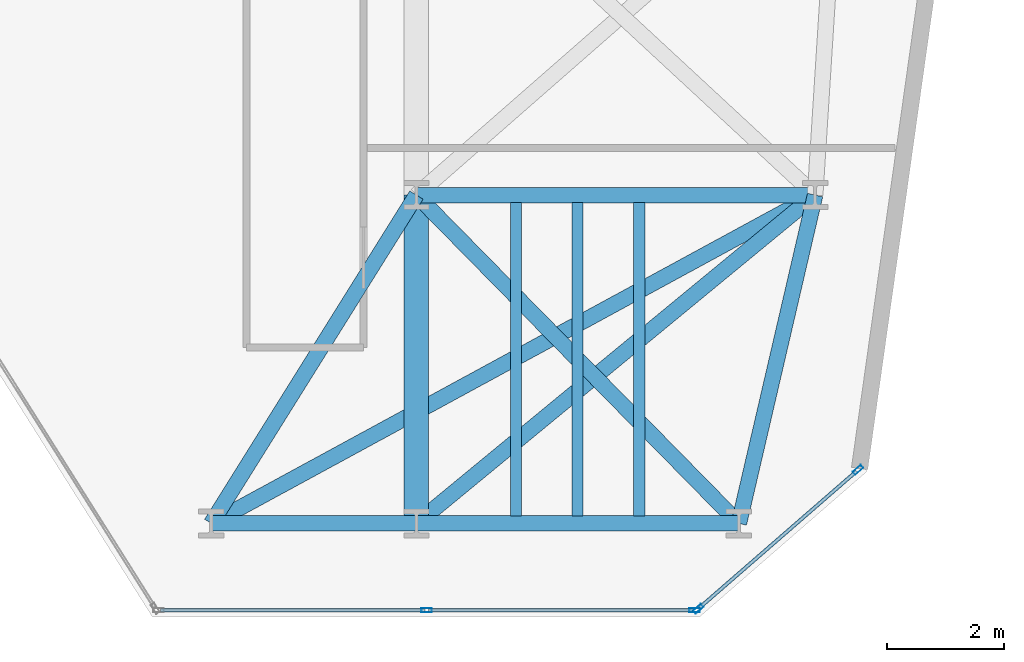
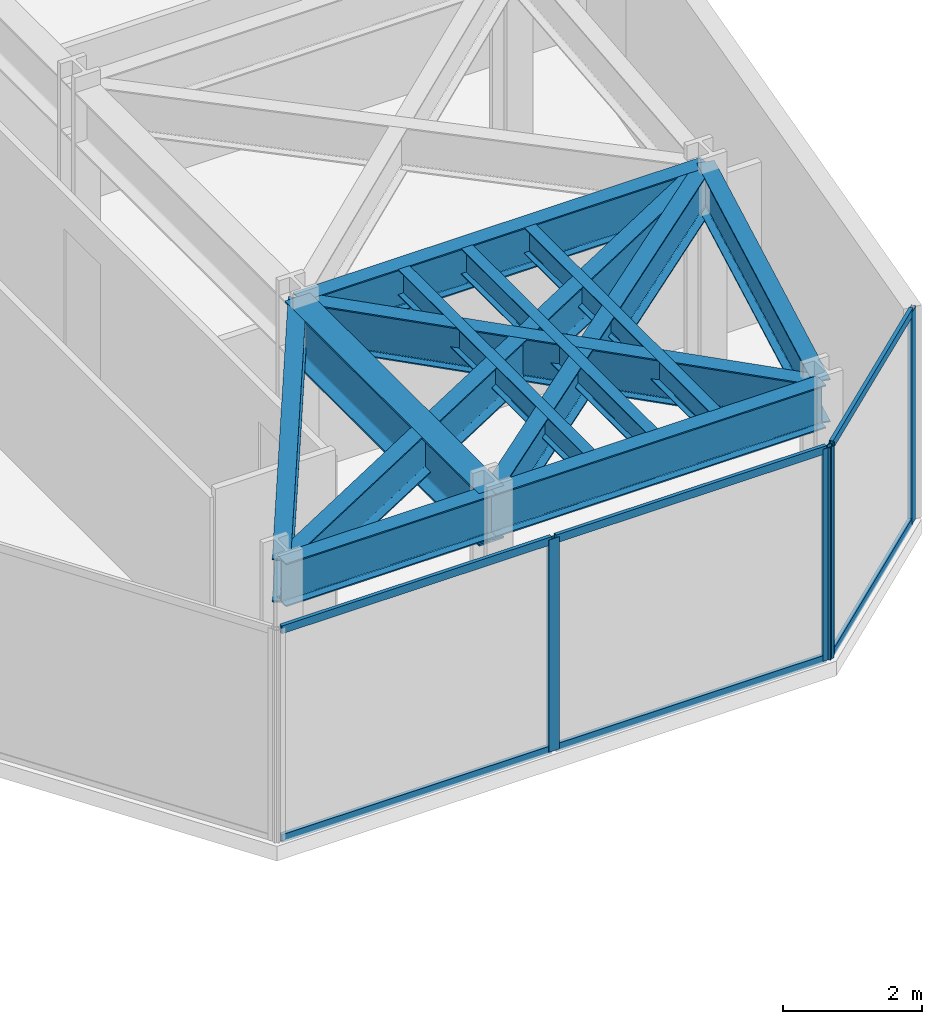
# One storey, part 13 of 24: 12 beams, 10 members, 2 elements without a shape of their own.
"""IFC4 building model written with IfcOpenShell, lengths in metres."""

from ifc_helpers import new_model, si_unit, direction, frame, origin, origin_2d, place, context, subcontext, project, spatial, hollow_rectangle, i_section, extrude, material, layer, layer_set, material_profile, profile_set, type_object, element, aggregate, save


model = new_model("IFC4")

# Units and contexts
model_context = context("Model", 3, precision=1e-05, world=origin(), true_north=direction((0.0, 1.0)))
body_context = subcontext(model_context, "Body", "Model", "MODEL_VIEW")
ifc_project = project(units=[si_unit("LENGTHUNIT", "METRE"), si_unit("AREAUNIT", "SQUARE_METRE"), si_unit("VOLUMEUNIT", "CUBIC_METRE"), si_unit("PLANEANGLEUNIT", "RADIAN"), si_unit("MASSUNIT", "GRAM", prefix="KILO")], contexts=[model_context])

# Site, building, storey
site_placement = place(None, origin())
site = spatial("IfcSite", under=ifc_project, at=site_placement, CompositionType="ELEMENT")
building_placement = place(site_placement, origin())
building = spatial("IfcBuilding", under=site, at=building_placement, Name="Kravanh Interchange Tower", CompositionType="ELEMENT")
storey_placement = place(building_placement, frame((0.0, 0.0, 61.5)))
storey = spatial("IfcBuildingStorey", under=building, at=storey_placement, Name="L14", CompositionType="ELEMENT", Elevation=61.5)

# Curtain wall, members
ifc_material_1 = material(Name="Anodised Bronze Aluminium", Category="aluminium")
ifc_layer = layer(ifc_material_1, 0.179931640625)
ifc_layer_set = layer_set([ifc_layer], Name="Unitised Curtain Wall System CW-Z1 Lower Office")
curtain_wall_type = type_object("IfcCurtainWallType", Name="Unitised Curtain Wall System CW-Z1 Lower Office", PredefinedType="NOTDEFINED", material=ifc_layer_set)
curtain_wall_1_placement = place(storey_placement, origin())
curtain_wall_1 = element("IfcCurtainWall", 1, at=curtain_wall_1_placement, inside=storey, type_object=curtain_wall_type, Name="L14 Unitised Curtain Wall CW-L14-02", PredefinedType="NOTDEFINED")
ifc_material_2 = material(Name="Anodised Bronze Aluminium", Category="aluminium")
ifc_material_profile_1 = material_profile(ifc_material_2, hollow_rectangle(XDim=0.070068359375, YDim=0.179931640625, WallThickness=0.00390625, at=origin_2d()), Name="ALU70X180X4")
ifc_profile_set_1 = profile_set([ifc_material_profile_1], Name="Anodised Bronze Aluminium")
member_type_1 = type_object("IfcMemberType", Name="Curtain Wall Mullion ALU70X180X4 Bronze", PredefinedType="MULLION", material=ifc_profile_set_1)
member_1_placement = place(storey_placement, frame((63.533203125, 3.513916015625, 0.0), z_axis=(0.0, 0.0, 1.0), x_axis=(0.656060422341, -0.754708368999, 0.0)))
member_1 = element("IfcMember", 2, at=member_1_placement, type_object=member_type_1, Name="CW-Z1 mullion 1", PredefinedType="MULLION", context=body_context, shape_type="SweptSolid", body=[
    extrude(hollow_rectangle(XDim=0.070068359375, YDim=0.179931640625, WallThickness=0.00390625, at=origin_2d()), origin(), (0.0, 0.0, 1.0), 3.739990234375),
])
member_2_placement = place(storey_placement, frame((60.805908203125, 1.14306640625, 0.0), z_axis=(0.0, 0.0, 1.0), x_axis=(0.656060422341, -0.754708368999, 0.0)))
member_2 = element("IfcMember", 3, at=member_2_placement, type_object=member_type_1, Name="CW-Z1 mullion 2", PredefinedType="MULLION", context=body_context, shape_type="SweptSolid", body=[
    extrude(hollow_rectangle(XDim=0.070068359375, YDim=0.179931640625, WallThickness=0.00390625, at=origin_2d()), origin(), (0.0, 0.0, 1.0), 3.739990234375),
])

curtain_wall_2_placement = place(storey_placement, origin())
curtain_wall_2 = element("IfcCurtainWall", 4, at=curtain_wall_2_placement, inside=storey, type_object=curtain_wall_type, Name="L14 Unitised Curtain Wall CW-L14-03", PredefinedType="NOTDEFINED")
member_3_placement = place(storey_placement, frame((60.744384765625, 1.1201171875, 0.0), z_axis=(0.0, 0.0, 1.0), x_axis=(0.0, -1.0, 0.0)))
member_3 = element("IfcMember", 5, at=member_3_placement, type_object=member_type_1, Name="CW-Z1 mullion 1", PredefinedType="MULLION", context=body_context, shape_type="SweptSolid", body=[
    extrude(hollow_rectangle(XDim=0.070068359375, YDim=0.179931640625, WallThickness=0.00390625, at=origin_2d()), origin(), (0.0, 0.0, 1.0), 3.739990234375),
])
member_4_placement = place(storey_placement, frame((56.1728515625, 1.1201171875, 0.0), z_axis=(0.0, 0.0, 1.0), x_axis=(0.0, -1.0, 0.0)))
member_4 = element("IfcMember", 6, at=member_4_placement, type_object=member_type_1, Name="CW-Z1 mullion 2", PredefinedType="MULLION", context=body_context, shape_type="SweptSolid", body=[
    extrude(hollow_rectangle(XDim=0.070068359375, YDim=0.179931640625, WallThickness=0.00390625, at=origin_2d()), origin(), (0.0, 0.0, 1.0), 3.739990234375),
])

# Member
ifc_material_3 = material(Name="Anodised Bronze Aluminium", Category="aluminium")
ifc_material_profile_2 = material_profile(ifc_material_3, hollow_rectangle(XDim=0.06005859375, YDim=0.139892578125, WallThickness=0.00390625, at=origin_2d()), Name="ALU60X140X4")
ifc_profile_set_2 = profile_set([ifc_material_profile_2], Name="Anodised Bronze Aluminium")
member_type_2 = type_object("IfcMemberType", Name="Curtain Wall Transom ALU60X140X4 Bronze", PredefinedType="USERDEFINED", material=ifc_profile_set_2)
member_5_placement = place(storey_placement, frame((63.5068359375, 3.490966796875, 0.030029296875), z_axis=(-0.754710815466, -0.656057608004, 0.0), x_axis=(0.656057608004, -0.754710815466, 0.0)))
member_5 = element("IfcMember", 7, at=member_5_placement, type_object=member_type_2, Name="CW-Z1 transom 1.1", ObjectType="TRANSOM", PredefinedType="USERDEFINED", context=body_context, shape_type="SweptSolid", body=[
    extrude(hollow_rectangle(XDim=0.06005859375, YDim=0.139892578125, WallThickness=0.00390625, at=origin_2d()), origin(), (0.0, 0.0, 1.0), 3.543701171875),
])

member_6_placement = place(storey_placement, frame((63.5068359375, 3.490966796875, 3.7099609375), z_axis=(-0.754710815466, -0.656057608004, 0.0), x_axis=(0.656057608004, -0.754710815466, 0.0)))
member_6 = element("IfcMember", 8, at=member_6_placement, type_object=member_type_2, Name="CW-Z1 transom 1.2", ObjectType="TRANSOM", PredefinedType="USERDEFINED", context=body_context, shape_type="SweptSolid", body=[
    extrude(hollow_rectangle(XDim=0.06005859375, YDim=0.139892578125, WallThickness=0.00390625, at=origin_2d()), origin(), (0.0, 0.0, 1.0), 3.543701171875),
])

aggregate(curtain_wall_1, [member_1, member_2, member_5, member_6])

member_7_placement = place(storey_placement, frame((60.70947265625, 1.1201171875, 0.030029296875), z_axis=(-1.0, 0.0, 0.0), x_axis=(0.0, -1.0, 0.0)))
member_7 = element("IfcMember", 9, at=member_7_placement, type_object=member_type_2, Name="CW-Z1 transom 1.1", ObjectType="TRANSOM", PredefinedType="USERDEFINED", context=body_context, shape_type="SweptSolid", body=[
    extrude(hollow_rectangle(XDim=0.06005859375, YDim=0.139892578125, WallThickness=0.00390625, at=origin_2d()), origin(), (0.0, 0.0, 1.0), 4.501708984375),
])

member_8_placement = place(storey_placement, frame((60.70947265625, 1.1201171875, 3.7099609375), z_axis=(-1.0, 0.0, 0.0), x_axis=(0.0, -1.0, 0.0)))
member_8 = element("IfcMember", 10, at=member_8_placement, type_object=member_type_2, Name="CW-Z1 transom 1.2", ObjectType="TRANSOM", PredefinedType="USERDEFINED", context=body_context, shape_type="SweptSolid", body=[
    extrude(hollow_rectangle(XDim=0.06005859375, YDim=0.139892578125, WallThickness=0.00390625, at=origin_2d()), origin(), (0.0, 0.0, 1.0), 4.501708984375),
])

member_9_placement = place(storey_placement, frame((56.1376953125, 1.1201171875, 0.030029296875), z_axis=(-1.0, 0.0, 0.0), x_axis=(0.0, -1.0, 0.0)))
member_9 = element("IfcMember", 11, at=member_9_placement, type_object=member_type_2, Name="CW-Z1 transom 2.1", ObjectType="TRANSOM", PredefinedType="USERDEFINED", context=body_context, shape_type="SweptSolid", body=[
    extrude(hollow_rectangle(XDim=0.06005859375, YDim=0.139892578125, WallThickness=0.00390625, at=origin_2d()), origin(), (0.0, 0.0, 1.0), 4.50146484375),
])

member_10_placement = place(storey_placement, frame((56.1376953125, 1.1201171875, 3.7099609375), z_axis=(-1.0, 0.0, 0.0), x_axis=(0.0, -1.0, 0.0)))
member_10 = element("IfcMember", 12, at=member_10_placement, type_object=member_type_2, Name="CW-Z1 transom 2.2", ObjectType="TRANSOM", PredefinedType="USERDEFINED", context=body_context, shape_type="SweptSolid", body=[
    extrude(hollow_rectangle(XDim=0.06005859375, YDim=0.139892578125, WallThickness=0.00390625, at=origin_2d()), origin(), (0.0, 0.0, 1.0), 4.50146484375),
])

aggregate(curtain_wall_2, [member_3, member_4, member_7, member_8, member_9, member_10])

# Beams
ifc_material_4 = material(Name="Structural Steel S355", Category="steel")
ifc_material_profile_3 = material_profile(ifc_material_4, i_section(OverallWidth=0.41796875, OverallDepth=0.927001953125, WebThickness=0.019287109375, FlangeThickness=0.031982421875, FilletRadius=0.028076171875, at=origin_2d()), Name="W36X231")
ifc_profile_set_3 = profile_set([ifc_material_profile_3], Name="Structural Steel S355")
beam_type_1 = type_object("IfcBeamType", Name="Floor Beam W36X231 Structural Steel S355", PredefinedType="BEAM", material=ifc_profile_set_3)
beam_1_placement = place(storey_placement, frame((56.0, 2.60009765625, 3.276611328125), z_axis=(0.0, 1.0, 0.0), x_axis=(-1.0, 0.0, 0.0)))
element("IfcBeam", 13, at=beam_1_placement, inside=storey, type_object=beam_type_1, Name="L14 Primary Floor Girder 129", PredefinedType="BEAM", context=body_context, shape_type="SweptSolid", body=[
    extrude(i_section(OverallWidth=0.41796875, OverallDepth=0.927001953125, WebThickness=0.019287109375, FlangeThickness=0.031982421875, FilletRadius=0.028076171875, at=origin_2d()), origin(), (0.0, 0.0, 1.0), 5.599853515625),
])
ifc_material_5 = material(Name="Structural Steel S355", Category="steel")
ifc_material_profile_4 = material_profile(ifc_material_5, i_section(OverallWidth=0.18994140625, OverallDepth=0.45703125, WebThickness=0.009033203125, FlangeThickness=0.014404296875, FilletRadius=0.01806640625, at=origin_2d()), Name="W18X50")
ifc_profile_set_4 = profile_set([ifc_material_profile_4], Name="Structural Steel S355")
beam_type_2 = type_object("IfcBeamType", Name="Floor Joist W18X50 Structural Steel S355", PredefinedType="JOIST", material=ifc_profile_set_4)
for number, where, z_axis, x_axis, name in (
    (14, (57.699951171875, 2.728515625, 3.511474609375), (0.0, 1.0, 0.0), (-1.0, 0.0, 0.0), "L14 Secondary Floor Joist 7"),
    (15, (58.75, 2.728515625, 3.511474609375), (0.0, 1.0, 0.0), (-1.0, 0.0, 0.0), "L14 Secondary Floor Joist 8"),
    (16, (59.800048828125, 2.728515625, 3.511474609375), (0.0, 1.0, 0.0), (-1.0, 0.0, 0.0), "L14 Secondary Floor Joist 9"),
):
    element("IfcBeam", number, at=place(storey_placement, frame(where, z_axis=z_axis, x_axis=x_axis)), inside=storey, type_object=beam_type_2, Name=name, PredefinedType="JOIST", context=body_context, shape_type="SweptSolid", body=[
        extrude(i_section(OverallWidth=0.18994140625, OverallDepth=0.45703125, WebThickness=0.009033203125, FlangeThickness=0.014404296875, FilletRadius=0.01806640625, at=origin_2d()), origin(), (0.0, 0.0, 1.0), 5.343017578125),
    ])
ifc_material_6 = material(Name="Structural Steel S355", Category="steel")
ifc_material_profile_5 = material_profile(ifc_material_6, i_section(OverallWidth=0.26708984375, OverallDepth=0.761962890625, WebThickness=0.014404296875, FlangeThickness=0.021484375, FilletRadius=0.02490234375, at=origin_2d()), Name="W30X116")
ifc_profile_set_5 = profile_set([ifc_material_profile_5], Name="Structural Steel S355")
beam_type_3 = type_object("IfcBeamType", Name="Floor Spandrel W30X116 Structural Steel S355", PredefinedType="SPANDREL", material=ifc_profile_set_5)
beam_2_placement = place(storey_placement, frame((52.5, 2.60009765625, 3.35888671875), z_axis=(1.0, 0.0, 0.0), x_axis=(0.0, 1.0, 0.0)))
element("IfcBeam", 17, at=beam_2_placement, inside=storey, type_object=beam_type_3, Name="L14 Perimeter Spandrel 125", PredefinedType="SPANDREL", context=body_context, shape_type="SweptSolid", body=[
    extrude(i_section(OverallWidth=0.26708984375, OverallDepth=0.761962890625, WebThickness=0.014404296875, FlangeThickness=0.021484375, FilletRadius=0.02490234375, at=origin_2d()), origin(), (0.0, 0.0, 1.0), 3.5),
])
beam_3_placement = place(storey_placement, frame((52.5, 2.60009765625, 3.35888671875), z_axis=(0.530008909536, 0.847992072965, 0.0), x_axis=(-0.847992072965, 0.530008909536, 0.0)))
element("IfcBeam", 18, at=beam_3_placement, inside=storey, type_object=beam_type_3, Name="L14 Perimeter Spandrel 126", PredefinedType="SPANDREL", context=body_context, shape_type="SweptSolid", body=[
    extrude(i_section(OverallWidth=0.26708984375, OverallDepth=0.761962890625, WebThickness=0.014404296875, FlangeThickness=0.021484375, FilletRadius=0.02490234375, at=origin_2d()), origin(), (0.0, 0.0, 1.0), 6.603759765625),
])
beam_4_placement = place(storey_placement, frame((52.5, 2.60009765625, 3.35888671875), z_axis=(0.878552895081, 0.47764506754, 0.0), x_axis=(-0.47764506754, 0.878552895081, 0.0)))
element("IfcBeam", 19, at=beam_4_placement, inside=storey, type_object=beam_type_3, Name="L14 Perimeter Spandrel 127", PredefinedType="SPANDREL", context=body_context, shape_type="SweptSolid", body=[
    extrude(i_section(OverallWidth=0.26708984375, OverallDepth=0.761962890625, WebThickness=0.014404296875, FlangeThickness=0.021484375, FilletRadius=0.02490234375, at=origin_2d()), origin(), (0.0, 0.0, 1.0), 11.723876953125),
])
beam_5_placement = place(storey_placement, frame((56.0, 2.60009765625, 3.35888671875), z_axis=(1.0, 0.0, 0.0), x_axis=(0.0, 1.0, 0.0)))
element("IfcBeam", 20, at=beam_5_placement, inside=storey, type_object=beam_type_3, Name="L14 Perimeter Spandrel 128", PredefinedType="SPANDREL", context=body_context, shape_type="SweptSolid", body=[
    extrude(i_section(OverallWidth=0.26708984375, OverallDepth=0.761962890625, WebThickness=0.014404296875, FlangeThickness=0.021484375, FilletRadius=0.02490234375, at=origin_2d()), origin(), (0.0, 0.0, 1.0), 5.5),
])
beam_6_placement = place(storey_placement, frame((56.0, 2.60009765625, 3.35888671875), z_axis=(0.771940635711, 0.635694623965, 0.0), x_axis=(-0.635694623965, 0.771940635711, 0.0)))
element("IfcBeam", 21, at=beam_6_placement, inside=storey, type_object=beam_type_3, Name="L14 Perimeter Spandrel 130", PredefinedType="SPANDREL", context=body_context, shape_type="SweptSolid", body=[
    extrude(i_section(OverallWidth=0.26708984375, OverallDepth=0.761962890625, WebThickness=0.014404296875, FlangeThickness=0.021484375, FilletRadius=0.02490234375, at=origin_2d()), origin(), (0.0, 0.0, 1.0), 8.80908203125),
])
beam_7_placement = place(storey_placement, frame((61.5, 2.60009765625, 3.35888671875), z_axis=(0.226143379252, 0.974094026273, 0.0), x_axis=(-0.974094026273, 0.226143379252, 0.0)))
element("IfcBeam", 22, at=beam_7_placement, inside=storey, type_object=beam_type_3, Name="L14 Perimeter Spandrel 131", PredefinedType="SPANDREL", context=body_context, shape_type="SweptSolid", body=[
    extrude(i_section(OverallWidth=0.26708984375, OverallDepth=0.761962890625, WebThickness=0.014404296875, FlangeThickness=0.021484375, FilletRadius=0.02490234375, at=origin_2d()), origin(), (0.0, 0.0, 1.0), 5.748779296875),
])
beam_8_placement = place(storey_placement, frame((61.5, 2.60009765625, 3.35888671875), z_axis=(-0.700717344595, 0.71343899738, 0.0), x_axis=(-0.71343899738, -0.700717344595, 0.0)))
element("IfcBeam", 23, at=beam_8_placement, inside=storey, type_object=beam_type_3, Name="L14 Perimeter Spandrel 132", PredefinedType="SPANDREL", context=body_context, shape_type="SweptSolid", body=[
    extrude(i_section(OverallWidth=0.26708984375, OverallDepth=0.761962890625, WebThickness=0.014404296875, FlangeThickness=0.021484375, FilletRadius=0.02490234375, at=origin_2d()), origin(), (0.0, 0.0, 1.0), 7.84912109375),
])
beam_9_placement = place(storey_placement, frame((56.0, 8.199951171875, 3.35888671875), z_axis=(1.0, 0.0, 0.0), x_axis=(0.0, 1.0, 0.0)))
element("IfcBeam", 24, at=beam_9_placement, inside=storey, type_object=beam_type_3, Name="L14 Perimeter Spandrel 142", PredefinedType="SPANDREL", context=body_context, shape_type="SweptSolid", body=[
    extrude(i_section(OverallWidth=0.26708984375, OverallDepth=0.761962890625, WebThickness=0.014404296875, FlangeThickness=0.021484375, FilletRadius=0.02490234375, at=origin_2d()), origin(), (0.0, 0.0, 1.0), 6.800048828125),
])

save(model, "model.ifc")
